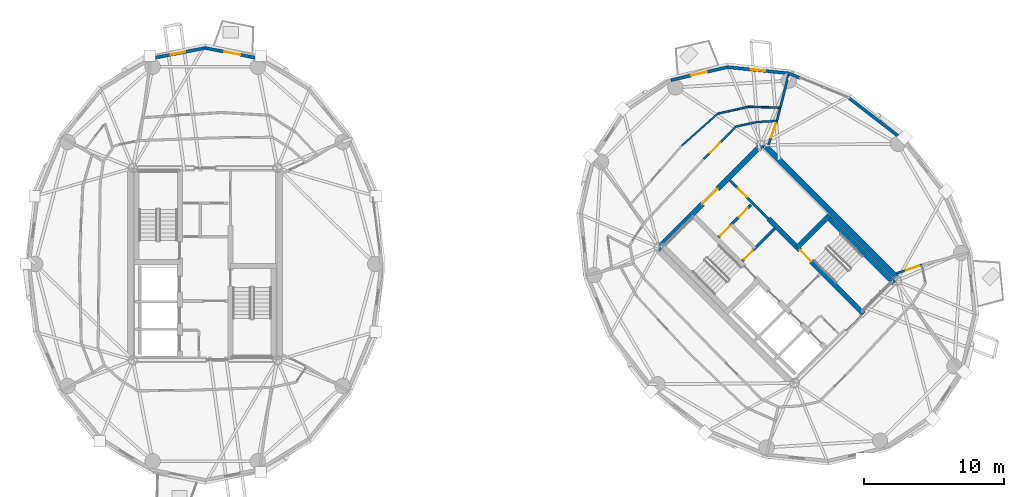
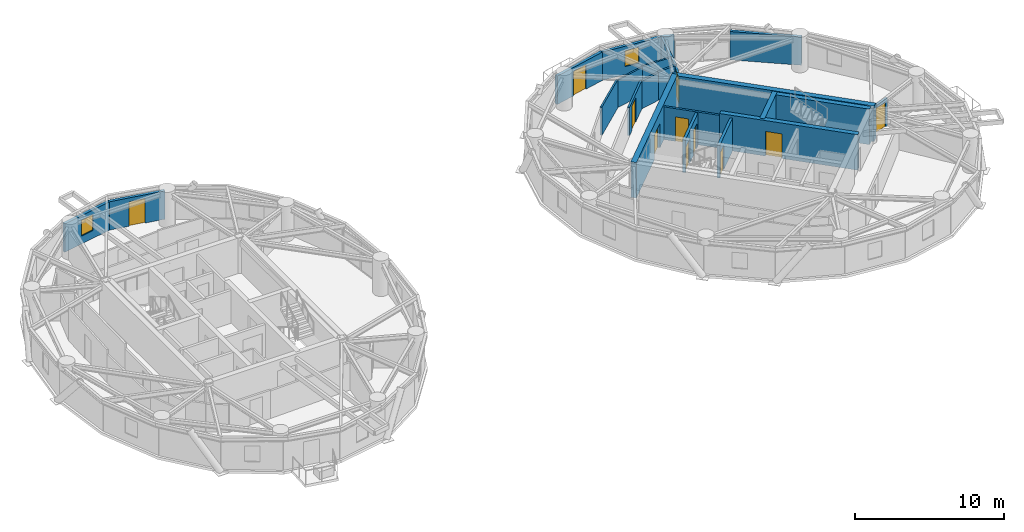
# One storey, part 12 of 16: 23 walls, 11 doors, 2 windows, 13 openings.
"""IFC4 building model written with IfcOpenShell, lengths in metres."""

from ifc_helpers import new_model, si_unit, direction, frame, frame_2d, origin, place, context, subcontext, project, spatial, rectangle, extrude, source, transform, mapped, material, layer, layer_set, type_object, element, fill, save


model = new_model("IFC4")

# Units and contexts
model_context = context("Model", 3, precision=1e-05, world=origin(), true_north=direction((0.0, 1.0)))
body_context = subcontext(model_context, "Body", "Model", "MODEL_VIEW")
ifc_project = project(units=[si_unit("LENGTHUNIT", "METRE"), si_unit("AREAUNIT", "SQUARE_METRE"), si_unit("VOLUMEUNIT", "CUBIC_METRE"), si_unit("PLANEANGLEUNIT", "RADIAN"), si_unit("MASSUNIT", "GRAM", prefix="KILO")], contexts=[model_context])

# Site, building, storey
site_placement = place(None, origin())
site = spatial("IfcSite", under=ifc_project, at=site_placement, CompositionType="ELEMENT")
building_placement = place(site_placement, origin())
building = spatial("IfcBuilding", under=site, at=building_placement, Name="Cununo Teusaquillo Station Towers", CompositionType="ELEMENT")
storey_placement = place(building_placement, frame((0.0, 0.0, 214.1201171875)))
storey = spatial("IfcBuildingStorey", under=building, at=storey_placement, Name="L68", CompositionType="ELEMENT", Elevation=214.1201171875)

# Wall, opening, door
ifc_material_1 = material(Name="Concrete C50/60", Category="concrete")
ifc_layer_1 = layer(ifc_material_1, 0.35009765625)
ifc_layer_set_1 = layer_set([ifc_layer_1], Name="Concrete C50/60")
wall_type_1 = type_object("IfcWallType", Name="WL-CORE-350", PredefinedType="SHEAR", material=ifc_layer_set_1)
wall_1_placement = place(storey_placement, frame((63.627197265625, 20.939697265625, 0.0), z_axis=(0.0, 0.0, 1.0), x_axis=(-0.707119496762, 0.707094065383, 0.0)))
wall_1 = element("IfcWall", 1, at=wall_1_placement, inside=storey, type_object=wall_type_1, Name="L68 Tower B Core Shear Wall IE", PredefinedType="SHEAR", context=body_context, shape_type="SweptSolid", body=[
    extrude(rectangle(XDim=9.60009765625, YDim=0.35009765625, at=frame_2d((4.800048828125, 0.0))), origin(), (0.0, 0.0, 1.0), 2.909912109375),
])
shared_shape_1 = source(origin(), body_context, "Body", "SweptSolid", [
    extrude(rectangle(XDim=1.14990234375, YDim=2.02001953125, at=frame_2d((0.574951171875, 1.010009765625))), frame((0.0, 0.18505859375, 0.0), z_axis=(0.0, -1.0, 0.0), x_axis=(1.0, 0.0, 0.0)), (0.0, 0.0, 1.0), 0.3701171875),
])
opening_1_placement = place(wall_1_placement, frame((5.280029296875, 0.0, 0.0)))
opening_1 = element("IfcOpeningElement", 2, at=opening_1_placement, cuts=wall_1, Name="Opening D-ST1", PredefinedType="OPENING", context=body_context, shape_type="MappedRepresentation", body=[
    mapped(shared_shape_1, transform((0.0, 0.0, 0.0), x_axis=(1.0, 0.0, 0.0), y_axis=(0.0, 1.0, 0.0), z_axis=(0.0, 0.0, 1.0), scale=1.0)),
])
ifc_material_2 = material(Name="Galvanised fire-rated hollow steel door assembly", Category="steel")
door_type_1 = type_object("IfcDoorType", Name="DR-STAIR-1150", OperationType="NOTDEFINED", PredefinedType="DOOR", material=ifc_material_2)
shared_shape_2 = source(origin(), body_context, "Body", "SweptSolid", [
    extrude(rectangle(XDim=1.14990234375, YDim=2.02001953125, at=frame_2d((0.574951171875, 1.010009765625))), frame((0.0, 0.02490234375, 0.0), z_axis=(0.0, -1.0, 0.0), x_axis=(1.0, 0.0, 0.0)), (0.0, 0.0, 1.0), 0.050048828125),
])
door_1_placement = place(opening_1_placement, origin())
door_1 = element("IfcDoor", 3, at=door_1_placement, inside=storey, type_object=door_type_1, Name="L68 Tower B Exit Stair 2 Fire Door", OperationType="SINGLE_SWING_RIGHT", OverallHeight=2.02001953125, OverallWidth=1.14990234375, PredefinedType="DOOR", context=body_context, shape_type="MappedRepresentation", body=[
    mapped(shared_shape_2, transform((0.0, 0.0, 0.0), x_axis=(1.0, 0.0, 0.0), y_axis=(0.0, 1.0, 0.0), z_axis=(0.0, 0.0, 1.0), scale=1.0)),
])
fill(opening_1, door_1)

# Walls
wall_2_placement = place(storey_placement, frame((65.81201171875, 23.124755859375, 0.0), z_axis=(0.0, 0.0, 1.0), x_axis=(-0.707106781187, 0.707106781187, 0.0)))
element("IfcWall", 4, at=wall_2_placement, inside=storey, type_object=wall_type_1, Name="L68 Tower B Core Shear Wall ST2E", PredefinedType="SHEAR", context=body_context, shape_type="SweptSolid", body=[
    extrude(rectangle(XDim=6.695068359375, YDim=0.35009765625, at=frame_2d((3.34765625, 0.0))), origin(), (0.0, 0.0, 1.0), 2.909912109375),
])
wall_3_placement = place(storey_placement, frame((58.89306640625, 25.673828125, 0.0), z_axis=(0.0, 0.0, 1.0), x_axis=(0.707106781187, 0.707106781187, 0.0)))
element("IfcWall", 5, at=wall_3_placement, inside=storey, type_object=wall_type_1, Name="L68 Tower B Core Shear Wall ST2N", PredefinedType="SHEAR", context=body_context, shape_type="SweptSolid", body=[
    extrude(rectangle(XDim=3.284912109375, YDim=0.35009765625, at=frame_2d((1.642578125, 0.0))), origin(), (0.0, 0.0, 1.0), 2.909912109375),
])
ifc_material_3 = material(Name="Concrete C50/60", Category="concrete")
ifc_layer_2 = layer(ifc_material_3, 0.39990234375)
ifc_layer_set_2 = layer_set([ifc_layer_2], Name="Concrete C50/60")
wall_type_2 = type_object("IfcWallType", Name="WL-CORE-400", PredefinedType="SHEAR", material=ifc_layer_set_2)
wall_4_placement = place(storey_placement, frame((66.26806640625, 23.2978515625, 0.0), z_axis=(0.0, 0.0, 1.0), x_axis=(-0.707106781187, 0.707106781187, 0.0)))
element("IfcWall", 6, at=wall_4_placement, inside=storey, type_object=wall_type_2, Name="L68 Tower B Core Shear Wall E", PredefinedType="SHEAR", context=body_context, shape_type="SweptSolid", body=[
    extrude(rectangle(XDim=14.10009765625, YDim=0.39990234375, at=frame_2d((7.050048828125, 0.0))), origin(), (0.0, 0.0, 1.0), 2.909912109375),
])

# Wall, opening, door
wall_5_placement = place(storey_placement, frame((48.873291015625, 25.560791015625, 0.0), z_axis=(0.0, 0.0, 1.0), x_axis=(0.707106781187, 0.707106781187, 0.0)))
wall_5 = element("IfcWall", 7, at=wall_5_placement, inside=storey, type_object=wall_type_2, Name="L68 Tower B Core Shear Wall N", PredefinedType="SHEAR", context=body_context, shape_type="SweptSolid", body=[
    extrude(rectangle(XDim=10.69970703125, YDim=0.39990234375, at=frame_2d((5.349853515625, 0.0))), origin(), (0.0, 0.0, 1.0), 2.909912109375),
])
shared_shape_3 = source(origin(), body_context, "Body", "SweptSolid", [
    extrude(rectangle(XDim=1.5, YDim=2.02001953125, at=frame_2d((0.75, 1.010009765625))), frame((0.0, 0.2099609375, 0.0), z_axis=(0.0, -1.0, 0.0), x_axis=(1.0, 0.0, 0.0)), (0.0, 0.0, 1.0), 0.419921875),
])
opening_2_placement = place(wall_5_placement, frame((4.60009765625, 0.0, 0.0)))
opening_2 = element("IfcOpeningElement", 8, at=opening_2_placement, cuts=wall_5, Name="Opening D-LB1", PredefinedType="OPENING", context=body_context, shape_type="MappedRepresentation", body=[
    mapped(shared_shape_3, transform((0.0, 0.0, 0.0), x_axis=(1.0, 0.0, 0.0), y_axis=(0.0, 1.0, 0.0), z_axis=(0.0, 0.0, 1.0), scale=1.0)),
])
ifc_material_4 = material(Name="Galvanised fire-rated hollow steel door assembly", Category="steel")
door_type_2 = type_object("IfcDoorType", Name="DR-LOBBY-1500", OperationType="DOUBLE_DOOR_SINGLE_SWING", PredefinedType="DOOR", material=ifc_material_4)
shared_shape_4 = source(origin(), body_context, "Body", "SweptSolid", [
    extrude(rectangle(XDim=1.5, YDim=2.02001953125, at=frame_2d((0.75, 1.010009765625))), frame((0.0, 0.02490234375, 0.0), z_axis=(0.0, -1.0, 0.0), x_axis=(1.0, 0.0, 0.0)), (0.0, 0.0, 1.0), 0.050048828125),
])
door_2_placement = place(opening_2_placement, origin())
door_2 = element("IfcDoor", 9, at=door_2_placement, inside=storey, type_object=door_type_2, Name="L68 Tower B North Core Lift Lobby Door", OperationType="DOUBLE_DOOR_SINGLE_SWING", OverallHeight=2.02001953125, OverallWidth=1.5, PredefinedType="DOOR", context=body_context, shape_type="MappedRepresentation", body=[
    mapped(shared_shape_4, transform((0.0, 0.0, 0.0), x_axis=(1.0, 0.0, 0.0), y_axis=(0.0, 1.0, 0.0), z_axis=(0.0, 0.0, 1.0), scale=1.0)),
])
fill(opening_2, door_2)

ifc_material_5 = material(Name="Precast concrete C40/50", Category="concrete")
ifc_layer_3 = layer(ifc_material_5, 0.219970703125)
ifc_layer_set_3 = layer_set([ifc_layer_3], Name="Precast concrete C40/50")
wall_type_3 = type_object("IfcWallType", Name="WL-EXT-220", PredefinedType="SOLIDWALL", material=ifc_layer_set_3)
wall_6_placement = place(storey_placement, frame((16.5, 39.969970703125, 0.0), z_axis=(0.0, 0.0, 1.0), x_axis=(0.981700307484, -0.190432419211, 0.0)))
wall_6 = element("IfcWall", 10, at=wall_6_placement, inside=storey, type_object=wall_type_3, Name="L68 Tower A Exterior Facade Wall C04", PredefinedType="SOLIDWALL", context=body_context, shape_type="SweptSolid", body=[
    extrude(rectangle(XDim=3.9755859375, YDim=0.219970703125, at=frame_2d((1.98779296875, 0.0))), origin(), (0.0, 0.0, 1.0), 2.32177734375),
])
shared_shape_5 = source(origin(), body_context, "Body", "SweptSolid", [
    extrude(rectangle(XDim=1.14990234375, YDim=2.0048828125, at=frame_2d((0.574951171875, 1.00244140625))), frame((0.0, 0.119873046875, 0.0), z_axis=(0.0, -1.0, 0.0), x_axis=(1.0, 0.0, 0.0)), (0.0, 0.0, 1.0), 0.239990234375),
])
opening_3_placement = place(wall_6_placement, frame((1.4130859375, 0.0, 0.0)))
opening_3 = element("IfcOpeningElement", 11, at=opening_3_placement, cuts=wall_6, Name="Opening ED-03", PredefinedType="OPENING", context=body_context, shape_type="MappedRepresentation", body=[
    mapped(shared_shape_5, transform((0.0, 0.0, 0.0), x_axis=(1.0, 0.0, 0.0), y_axis=(0.0, 1.0, 0.0), z_axis=(0.0, 0.0, 1.0), scale=1.0)),
])
ifc_material_6 = material(Name="Anodised dark bronze aluminium EN AW-6063-T6", Category="aluminium")
door_type_3 = type_object("IfcDoorType", Name="DR-EXT-BAL", OperationType="NOTDEFINED", PredefinedType="DOOR", material=ifc_material_6)
shared_shape_6 = source(origin(), body_context, "Body", "SweptSolid", [
    extrude(rectangle(XDim=1.14990234375, YDim=2.0048828125, at=frame_2d((0.574951171875, 1.00244140625))), frame((0.0, 0.02490234375, 0.0), z_axis=(0.0, -1.0, 0.0), x_axis=(1.0, 0.0, 0.0)), (0.0, 0.0, 1.0), 0.050048828125),
])
door_3_placement = place(opening_3_placement, origin())
door_3 = element("IfcDoor", 12, at=door_3_placement, inside=storey, type_object=door_type_3, Name="L68 Tower A Tree Balcony Door C04", OperationType="SINGLE_SWING_LEFT", OverallHeight=2.0048828125, OverallWidth=1.14990234375, PredefinedType="DOOR", context=body_context, shape_type="MappedRepresentation", body=[
    mapped(shared_shape_6, transform((0.0, 0.0, 0.0), x_axis=(1.0, 0.0, 0.0), y_axis=(0.0, 1.0, 0.0), z_axis=(0.0, 0.0, 1.0), scale=1.0)),
])
fill(opening_3, door_3)

# Wall, opening, window
wall_7_placement = place(storey_placement, frame((12.59716796875, 39.212890625, 0.0), z_axis=(0.0, 0.0, 1.0), x_axis=(0.981700307484, 0.190432419211, 0.0)))
wall_7 = element("IfcWall", 13, at=wall_7_placement, inside=storey, type_object=wall_type_3, Name="L68 Tower A Exterior Facade Wall C05", PredefinedType="SOLIDWALL", context=body_context, shape_type="SweptSolid", body=[
    extrude(rectangle(XDim=3.9755859375, YDim=0.219970703125, at=frame_2d((1.98779296875, 0.0))), origin(), (0.0, 0.0, 1.0), 2.32177734375),
])
shared_shape_7 = source(origin(), body_context, "Body", "SweptSolid", [
    extrude(rectangle(XDim=1.050048828125, YDim=1.300048828125, at=frame_2d((0.52490234375, 0.64990234375))), frame((0.0, 0.119873046875, 0.0), z_axis=(0.0, -1.0, 0.0), x_axis=(1.0, 0.0, 0.0)), (0.0, 0.0, 1.0), 0.239990234375),
])
opening_4_placement = place(wall_7_placement, frame((1.462890625, 0.0, 0.64990234375)))
opening_4 = element("IfcOpeningElement", 14, at=opening_4_placement, cuts=wall_7, Name="Opening WN-04", PredefinedType="OPENING", context=body_context, shape_type="MappedRepresentation", body=[
    mapped(shared_shape_7, transform((0.0, 0.0, 0.0), x_axis=(1.0, 0.0, 0.0), y_axis=(0.0, 1.0, 0.0), z_axis=(0.0, 0.0, 1.0), scale=1.0)),
])
ifc_material_7 = material(Name="Operable acoustic tinted low-E double glazing", Category="glass")
window_type = type_object("IfcWindowType", Name="WIN-BAL-1050", PartitioningType="SINGLE_PANEL", PredefinedType="WINDOW", material=ifc_material_7)
shared_shape_8 = source(origin(), body_context, "Body", "SweptSolid", [
    extrude(rectangle(XDim=1.050048828125, YDim=1.300048828125, at=frame_2d((0.52490234375, 0.64990234375))), frame((0.0, 0.030029296875, 0.0), z_axis=(0.0, -1.0, 0.0), x_axis=(1.0, 0.0, 0.0)), (0.0, 0.0, 1.0), 0.06005859375),
])
window_1_placement = place(opening_4_placement, origin())
window_1 = element("IfcWindow", 15, at=window_1_placement, inside=storey, type_object=window_type, Name="L68 Tower A Facade Window C05", OverallHeight=1.300048828125, OverallWidth=1.050048828125, PartitioningType="SINGLE_PANEL", PredefinedType="WINDOW", context=body_context, shape_type="MappedRepresentation", body=[
    mapped(shared_shape_8, transform((0.0, 0.0, 0.0), x_axis=(1.0, 0.0, 0.0), y_axis=(0.0, 1.0, 0.0), z_axis=(0.0, 0.0, 1.0), scale=1.0)),
])
fill(opening_4, window_1)

# Walls
wall_8_placement = place(storey_placement, frame((62.61328125, 36.373779296875, 0.0), z_axis=(0.0, 0.0, 1.0), x_axis=(0.791998462147, -0.610523083886, 0.0)))
element("IfcWall", 16, at=wall_8_placement, inside=storey, type_object=wall_type_3, Name="L68 Tower B Exterior Facade Wall C00", PredefinedType="SOLIDWALL", context=body_context, shape_type="SweptSolid", body=[
    extrude(rectangle(XDim=4.8203125, YDim=0.219970703125, at=frame_2d((2.41015625, 0.0))), origin(), (0.0, 0.0, 1.0), 2.32177734375),
])
wall_9_placement = place(storey_placement, frame((58.29541015625, 38.15478515625, 0.0), z_axis=(0.0, 0.0, 1.0), x_axis=(0.924515260676, -0.381145028536, 0.0)))
element("IfcWall", 17, at=wall_9_placement, inside=storey, type_object=wall_type_3, Name="L68 Tower B Column Pier Cladding Wall C01-PA", PredefinedType="SOLIDWALL", context=body_context, shape_type="SweptSolid", body=[
    extrude(rectangle(XDim=0.869873046875, YDim=0.219970703125, at=frame_2d((0.43505859375, 0.0))), origin(), (0.0, 0.0, 1.0), 2.32177734375),
])

# Wall, opening, window
wall_10_placement = place(storey_placement, frame((53.899658203125, 38.59912109375, 0.0), z_axis=(0.0, 0.0, 1.0), x_axis=(0.994929930991, -0.100570534541, 0.0)))
wall_10 = element("IfcWall", 18, at=wall_10_placement, inside=storey, type_object=wall_type_3, Name="L68 Tower B Exterior Facade Wall C02", PredefinedType="SOLIDWALL", context=body_context, shape_type="SweptSolid", body=[
    extrude(rectangle(XDim=4.418212890625, YDim=0.219970703125, at=frame_2d((2.208984375, 0.0))), origin(), (0.0, 0.0, 1.0), 2.32177734375),
])
opening_5_placement = place(wall_10_placement, frame((1.68408203125, 0.0, 0.64990234375)))
opening_5 = element("IfcOpeningElement", 19, at=opening_5_placement, cuts=wall_10, Name="Opening WN-04", PredefinedType="OPENING", context=body_context, shape_type="MappedRepresentation", body=[
    mapped(shared_shape_7, transform((0.0, 0.0, 0.0), x_axis=(1.0, 0.0, 0.0), y_axis=(0.0, 1.0, 0.0), z_axis=(0.0, 0.0, 1.0), scale=1.0)),
])
window_2_placement = place(opening_5_placement, origin())
window_2 = element("IfcWindow", 20, at=window_2_placement, inside=storey, type_object=window_type, Name="L68 Tower B Facade Window C02", OverallHeight=1.300048828125, OverallWidth=1.050048828125, PartitioningType="SINGLE_PANEL", PredefinedType="WINDOW", context=body_context, shape_type="MappedRepresentation", body=[
    mapped(shared_shape_8, transform((0.0, 0.0, 0.0), x_axis=(1.0, 0.0, 0.0), y_axis=(0.0, 1.0, 0.0), z_axis=(0.0, 0.0, 1.0), scale=1.0)),
])
fill(opening_5, window_2)

# Wall, opening, door
wall_11_placement = place(storey_placement, frame((49.856201171875, 37.663330078125, 0.0), z_axis=(0.0, 0.0, 1.0), x_axis=(0.974249228678, 0.225473813158, 0.0)))
wall_11 = element("IfcWall", 21, at=wall_11_placement, inside=storey, type_object=wall_type_3, Name="L68 Tower B Exterior Facade Wall C03", PredefinedType="SOLIDWALL", context=body_context, shape_type="SweptSolid", body=[
    extrude(rectangle(XDim=4.150390625, YDim=0.219970703125, at=frame_2d((2.0751953125, 0.0))), origin(), (0.0, 0.0, 1.0), 2.32177734375),
])
opening_6_placement = place(wall_11_placement, frame((1.5, 0.0, 0.0)))
opening_6 = element("IfcOpeningElement", 22, at=opening_6_placement, cuts=wall_11, Name="Opening ED-03", PredefinedType="OPENING", context=body_context, shape_type="MappedRepresentation", body=[
    mapped(shared_shape_5, transform((0.0, 0.0, 0.0), x_axis=(1.0, 0.0, 0.0), y_axis=(0.0, 1.0, 0.0), z_axis=(0.0, 0.0, 1.0), scale=1.0)),
])
door_4_placement = place(opening_6_placement, origin())
door_4 = element("IfcDoor", 23, at=door_4_placement, inside=storey, type_object=door_type_3, Name="L68 Tower B Tree Balcony Door C03", OperationType="SINGLE_SWING_LEFT", OverallHeight=2.0048828125, OverallWidth=1.14990234375, PredefinedType="DOOR", context=body_context, shape_type="MappedRepresentation", body=[
    mapped(shared_shape_6, transform((0.0, 0.0, 0.0), x_axis=(1.0, 0.0, 0.0), y_axis=(0.0, 1.0, 0.0), z_axis=(0.0, 0.0, 1.0), scale=1.0)),
])
fill(opening_6, door_4)

# Walls
ifc_material_8 = material(Name="Fire-rated gypsum plasterboard partition assembly", Category="gypsum")
ifc_layer_4 = layer(ifc_material_8, 0.125)
ifc_layer_set_4 = layer_set([ifc_layer_4], Name="Fire-rated gypsum plasterboard partition assembly")
wall_type_4 = type_object("IfcWallType", Name="WL-PART-125", PredefinedType="PARTITIONING", material=ifc_layer_set_4)
wall_12_placement = place(storey_placement, frame((57.678955078125, 35.693359375, 0.0), z_axis=(0.0, 0.0, 1.0), x_axis=(-0.999526298938, 0.030776252722, 0.0)))
element("IfcWall", 24, at=wall_12_placement, inside=storey, type_object=wall_type_4, Name="L68 Tower B Summit Champagne & Dining Salon Concentric Partition Wall C02", PredefinedType="PARTITIONING", context=body_context, shape_type="SweptSolid", body=[
    extrude(rectangle(XDim=2.2607421875, YDim=0.125, at=frame_2d((1.13037109375, 0.0))), origin(), (0.0, 0.0, 1.0), 2.32177734375),
])
wall_13_placement = place(storey_placement, frame((55.419189453125, 35.762939453125, 0.0), z_axis=(0.0, 0.0, 1.0), x_axis=(-0.975917771425, -0.218138725166, 0.0)))
element("IfcWall", 25, at=wall_13_placement, inside=storey, type_object=wall_type_4, Name="L68 Tower B Summit Champagne & Dining Salon Concentric Partition Wall C03", PredefinedType="PARTITIONING", context=body_context, shape_type="SweptSolid", body=[
    extrude(rectangle(XDim=2.267578125, YDim=0.125, at=frame_2d((1.1337890625, 0.0))), origin(), (0.0, 0.0, 1.0), 2.2548828125),
])
wall_14_placement = place(storey_placement, frame((53.206298828125, 35.268310546875, 0.0), z_axis=(0.0, 0.0, 1.0), x_axis=(-0.746677760999, -0.665185929819, 0.0)))
element("IfcWall", 26, at=wall_14_placement, inside=storey, type_object=wall_type_4, Name="L68 Tower B Summit Champagne & Dining Salon Concentric Partition Wall C04", PredefinedType="PARTITIONING", context=body_context, shape_type="SweptSolid", body=[
    extrude(rectangle(XDim=3.4453125, YDim=0.125, at=frame_2d((1.72265625, 0.0))), origin(), (0.0, 0.0, 1.0), 2.32177734375),
])
ifc_material_9 = material(Name="Fire-rated gypsum plasterboard partition assembly", Category="gypsum")
ifc_layer_5 = layer(ifc_material_9, 0.14990234375)
ifc_layer_set_5 = layer_set([ifc_layer_5], Name="Fire-rated gypsum plasterboard partition assembly")
wall_type_5 = type_object("IfcWallType", Name="WL-PART-150", PredefinedType="PARTITIONING", material=ifc_layer_set_5)
wall_15_placement = place(storey_placement, frame((57.4404296875, 34.743896484375, 0.0), z_axis=(0.0, 0.0, 1.0), x_axis=(-0.998578025565, -0.053309725738, 0.0)))
element("IfcWall", 27, at=wall_15_placement, inside=storey, type_object=wall_type_5, Name="L68 Tower B Corridor Ring Wall C02", PredefinedType="PARTITIONING", context=body_context, shape_type="SweptSolid", body=[
    extrude(rectangle(XDim=1.433349609375, YDim=0.14990234375, at=frame_2d((0.716796875, 0.0))), origin(), (0.0, 0.0, 1.0), 2.32177734375),
])
wall_16_placement = place(storey_placement, frame((56.009033203125, 34.66748046875, 0.0), z_axis=(0.0, 0.0, 1.0), x_axis=(-0.977625498152, -0.210353001795, 0.0)))
element("IfcWall", 28, at=wall_16_placement, inside=storey, type_object=wall_type_5, Name="L68 Tower B Corridor Ring Wall C03", PredefinedType="PARTITIONING", context=body_context, shape_type="SweptSolid", body=[
    extrude(rectangle(XDim=1.537841796875, YDim=0.14990234375, at=frame_2d((0.76904296875, 0.0))), origin(), (0.0, 0.0, 1.0), 2.2548828125),
])

# Wall, opening, door
wall_17_placement = place(storey_placement, frame((54.505615234375, 34.343994140625, 0.0), z_axis=(0.0, 0.0, 1.0), x_axis=(-0.703053402247, -0.711137056824, 0.0)))
wall_17 = element("IfcWall", 29, at=wall_17_placement, inside=storey, type_object=wall_type_5, Name="L68 Tower B Corridor Ring Wall C04", PredefinedType="PARTITIONING", context=body_context, shape_type="SweptSolid", body=[
    extrude(rectangle(XDim=3.26171875, YDim=0.14990234375, at=frame_2d((1.630859375, 0.0))), origin(), (0.0, 0.0, 1.0), 2.32177734375),
])
shared_shape_9 = source(origin(), body_context, "Body", "SweptSolid", [
    extrude(rectangle(XDim=1.050048828125, YDim=2.014892578125, at=frame_2d((0.52490234375, 1.00732421875))), frame((0.0, 0.0849609375, 0.0), z_axis=(0.0, -1.0, 0.0), x_axis=(1.0, 0.0, 0.0)), (0.0, 0.0, 1.0), 0.169921875),
])
opening_7_placement = place(wall_17_placement, frame((1.598876953125, 0.0, 0.0)))
opening_7 = element("IfcOpeningElement", 30, at=opening_7_placement, cuts=wall_17, Name="Opening D-SU1", PredefinedType="OPENING", context=body_context, shape_type="MappedRepresentation", body=[
    mapped(shared_shape_9, transform((0.0, 0.0, 0.0), x_axis=(1.0, 0.0, 0.0), y_axis=(0.0, 1.0, 0.0), z_axis=(0.0, 0.0, 1.0), scale=1.0)),
])
ifc_material_10 = material(Name="Acoustic solid-core hardwood leaf assembly", Category="wood")
door_type_4 = type_object("IfcDoorType", Name="DR-SUITE-1050", OperationType="NOTDEFINED", PredefinedType="DOOR", material=ifc_material_10)
shared_shape_10 = source(origin(), body_context, "Body", "SweptSolid", [
    extrude(rectangle(XDim=1.050048828125, YDim=2.014892578125, at=frame_2d((0.52490234375, 1.00732421875))), frame((0.0, 0.02490234375, 0.0), z_axis=(0.0, -1.0, 0.0), x_axis=(1.0, 0.0, 0.0)), (0.0, 0.0, 1.0), 0.050048828125),
])
door_5_placement = place(opening_7_placement, origin())
door_5 = element("IfcDoor", 31, at=door_5_placement, inside=storey, type_object=door_type_4, Name="L68 Tower B Summit Champagne & Dining Salon Entrance Door", OperationType="SINGLE_SWING_RIGHT", OverallHeight=2.014892578125, OverallWidth=1.050048828125, PredefinedType="DOOR", context=body_context, shape_type="MappedRepresentation", body=[
    mapped(shared_shape_10, transform((0.0, 0.0, 0.0), x_axis=(1.0, 0.0, 0.0), y_axis=(0.0, 1.0, 0.0), z_axis=(0.0, 0.0, 1.0), scale=1.0)),
])
fill(opening_7, door_5)

ifc_material_11 = material(Name="Fire-rated gypsum plasterboard partition assembly", Category="gypsum")
ifc_layer_6 = layer(ifc_material_11, 0.159912109375)
ifc_layer_set_6 = layer_set([ifc_layer_6], Name="Fire-rated gypsum plasterboard partition assembly")
wall_type_6 = type_object("IfcWallType", Name="WL-PART-160", PredefinedType="PARTITIONING", material=ifc_layer_set_6)
wall_18_placement = place(storey_placement, frame((56.8388671875, 27.727783203125, 0.0), z_axis=(0.0, 0.0, 1.0), x_axis=(-0.707106781187, 0.707106781187, 0.0)))
wall_18 = element("IfcWall", 32, at=wall_18_placement, inside=storey, type_object=wall_type_6, Name="L68 Tower B Reclaimed Core Bay Entry Wall", PredefinedType="PARTITIONING", context=body_context, shape_type="SweptSolid", body=[
    extrude(rectangle(XDim=3.900146484375, YDim=0.159912109375, at=frame_2d((1.9501953125, 0.0))), origin(), (0.0, 0.0, 1.0), 2.684814453125),
])
shared_shape_11 = source(origin(), body_context, "Body", "SweptSolid", [
    extrude(rectangle(XDim=0.89990234375, YDim=2.0048828125, at=frame_2d((0.449951171875, 1.00244140625))), frame((0.0, 0.08984375, 0.0), z_axis=(0.0, -1.0, 0.0), x_axis=(1.0, 0.0, 0.0)), (0.0, 0.0, 1.0), 0.179931640625),
])
opening_8_placement = place(wall_18_placement, frame((2.199951171875, 0.0, 0.0)))
opening_8 = element("IfcOpeningElement", 33, at=opening_8_placement, cuts=wall_18, Name="Opening D-IN1", PredefinedType="OPENING", context=body_context, shape_type="MappedRepresentation", body=[
    mapped(shared_shape_11, transform((0.0, 0.0, 0.0), x_axis=(1.0, 0.0, 0.0), y_axis=(0.0, 1.0, 0.0), z_axis=(0.0, 0.0, 1.0), scale=1.0)),
])
ifc_material_12 = material(Name="Acoustic solid-core hardwood leaf assembly", Category="wood")
door_type_5 = type_object("IfcDoorType", Name="DR-INT-900", OperationType="NOTDEFINED", PredefinedType="DOOR", material=ifc_material_12)
shared_shape_12 = source(origin(), body_context, "Body", "SweptSolid", [
    extrude(rectangle(XDim=0.89990234375, YDim=2.0048828125, at=frame_2d((0.449951171875, 1.00244140625))), frame((0.0, 0.02490234375, 0.0), z_axis=(0.0, -1.0, 0.0), x_axis=(1.0, 0.0, 0.0)), (0.0, 0.0, 1.0), 0.050048828125),
])
door_6_placement = place(opening_8_placement, origin())
door_6 = element("IfcDoor", 34, at=door_6_placement, inside=storey, type_object=door_type_5, Name="L68 Tower B Reclaimed Core Lounge Door", OperationType="SINGLE_SWING_LEFT", OverallHeight=2.0048828125, OverallWidth=0.89990234375, PredefinedType="DOOR", context=body_context, shape_type="MappedRepresentation", body=[
    mapped(shared_shape_12, transform((0.0, 0.0, 0.0), x_axis=(1.0, 0.0, 0.0), y_axis=(0.0, 1.0, 0.0), z_axis=(0.0, 0.0, 1.0), scale=1.0)),
])
fill(opening_8, door_6)

# Wall
wall_19_placement = place(storey_placement, frame((57.4404296875, 34.743896484375, 0.0), z_axis=(0.0, 0.0, 1.0), x_axis=(0.243619816457, 0.969870808422, 0.0)))
element("IfcWall", 35, at=wall_19_placement, inside=storey, type_object=wall_type_6, Name="L68 Tower B Radial Suite Partition R01", PredefinedType="PARTITIONING", context=body_context, shape_type="SweptSolid", body=[
    extrude(rectangle(XDim=3.496337890625, YDim=0.159912109375, at=frame_2d((1.748046875, 0.0))), origin(), (0.0, 0.0, 1.0), 2.32177734375),
])

# Wall, opening, door
wall_20_placement = place(storey_placement, frame((56.828125, 33.0205078125, 0.0), z_axis=(0.0, 0.0, 1.0), x_axis=(0.334788446034, 0.942293317605, 0.0)))
wall_20 = element("IfcWall", 36, at=wall_20_placement, inside=storey, type_object=wall_type_6, Name="L68 Tower B East Salon Corridor Portal Wall NE", PredefinedType="PARTITIONING", context=body_context, shape_type="SweptSolid", body=[
    extrude(rectangle(XDim=1.828857421875, YDim=0.159912109375, at=frame_2d((0.91455078125, 0.0))), origin(), (0.0, 0.0, 1.0), 2.2548828125),
])
shared_shape_13 = source(origin(), body_context, "Body", "SweptSolid", [
    extrude(rectangle(XDim=1.050048828125, YDim=2.014892578125, at=frame_2d((0.52490234375, 1.00732421875))), frame((0.0, 0.08984375, 0.0), z_axis=(0.0, -1.0, 0.0), x_axis=(1.0, 0.0, 0.0)), (0.0, 0.0, 1.0), 0.179931640625),
])
opening_9_placement = place(wall_20_placement, frame((0.578857421875, 0.0, 0.0)))
opening_9 = element("IfcOpeningElement", 37, at=opening_9_placement, cuts=wall_20, Name="Opening D-SU1", PredefinedType="OPENING", context=body_context, shape_type="MappedRepresentation", body=[
    mapped(shared_shape_13, transform((0.0, 0.0, 0.0), x_axis=(1.0, 0.0, 0.0), y_axis=(0.0, 1.0, 0.0), z_axis=(0.0, 0.0, 1.0), scale=1.0)),
])
door_7_placement = place(opening_9_placement, origin())
door_7 = element("IfcDoor", 38, at=door_7_placement, inside=storey, type_object=door_type_4, Name="L68 Tower B East Panorama Sky Salon Door NE", OperationType="SINGLE_SWING_RIGHT", OverallHeight=2.014892578125, OverallWidth=1.050048828125, PredefinedType="DOOR", context=body_context, shape_type="MappedRepresentation", body=[
    mapped(shared_shape_10, transform((0.0, 0.0, 0.0), x_axis=(1.0, 0.0, 0.0), y_axis=(0.0, 1.0, 0.0), z_axis=(0.0, 0.0, 1.0), scale=1.0)),
])
fill(opening_9, door_7)

wall_21_placement = place(storey_placement, frame((66.0205078125, 23.828125, 0.0), z_axis=(0.0, 0.0, 1.0), x_axis=(0.947522075691, 0.319690344049, 0.0)))
wall_21 = element("IfcWall", 39, at=wall_21_placement, inside=storey, type_object=wall_type_6, Name="L68 Tower B East Salon Corridor Portal Wall SE", PredefinedType="PARTITIONING", context=body_context, shape_type="SweptSolid", body=[
    extrude(rectangle(XDim=1.923583984375, YDim=0.159912109375, at=frame_2d((0.9619140625, 0.0))), origin(), (0.0, 0.0, 1.0), 2.2548828125),
])
opening_10_placement = place(wall_21_placement, frame((0.673583984375, 0.0, 0.0)))
opening_10 = element("IfcOpeningElement", 40, at=opening_10_placement, cuts=wall_21, Name="Opening D-SU1", PredefinedType="OPENING", context=body_context, shape_type="MappedRepresentation", body=[
    mapped(shared_shape_13, transform((0.0, 0.0, 0.0), x_axis=(1.0, 0.0, 0.0), y_axis=(0.0, 1.0, 0.0), z_axis=(0.0, 0.0, 1.0), scale=1.0)),
])
door_8_placement = place(opening_10_placement, origin())
door_8 = element("IfcDoor", 41, at=door_8_placement, inside=storey, type_object=door_type_4, Name="L68 Tower B East Panorama Sky Salon Door SE", OperationType="SINGLE_SWING_LEFT", OverallHeight=2.014892578125, OverallWidth=1.050048828125, PredefinedType="DOOR", context=body_context, shape_type="MappedRepresentation", body=[
    mapped(shared_shape_10, transform((0.0, 0.0, 0.0), x_axis=(1.0, 0.0, 0.0), y_axis=(0.0, 1.0, 0.0), z_axis=(0.0, 0.0, 1.0), scale=1.0)),
])
fill(opening_10, door_8)

ifc_material_13 = material(Name="Fire-rated gypsum plasterboard partition assembly", Category="gypsum")
ifc_layer_7 = layer(ifc_material_13, 0.199951171875)
ifc_layer_set_7 = layer_set([ifc_layer_7], Name="Fire-rated gypsum plasterboard partition assembly")
wall_type_7 = type_object("IfcWallType", Name="WL-PART-200", PredefinedType="PARTITIONING", material=ifc_layer_set_7)
wall_22_placement = place(storey_placement, frame((54.96142578125, 24.71923828125, 0.0), z_axis=(0.0, 0.0, 1.0), x_axis=(0.707106781187, 0.707106781187, 0.0)))
wall_22 = element("IfcWall", 42, at=wall_22_placement, inside=storey, type_object=wall_type_7, Name="L68 Tower B Firefighting Lift Lobby North Fire Wall", PredefinedType="PARTITIONING", context=body_context, shape_type="SweptSolid", body=[
    extrude(rectangle(XDim=3.280029296875, YDim=0.199951171875, at=frame_2d((1.64013671875, 0.0))), origin(), (0.0, 0.0, 1.0), 2.684814453125),
])
shared_shape_14 = source(origin(), body_context, "Body", "SweptSolid", [
    extrude(rectangle(XDim=0.89990234375, YDim=2.0048828125, at=frame_2d((0.449951171875, 1.00244140625))), frame((0.0, 0.10986328125, 0.0), z_axis=(0.0, -1.0, 0.0), x_axis=(1.0, 0.0, 0.0)), (0.0, 0.0, 1.0), 0.219970703125),
])
opening_11_placement = place(wall_22_placement, frame((0.159912109375, 0.0, 0.0)))
opening_11 = element("IfcOpeningElement", 43, at=opening_11_placement, cuts=wall_22, Name="Opening D-SR1", PredefinedType="OPENING", context=body_context, shape_type="MappedRepresentation", body=[
    mapped(shared_shape_14, transform((0.0, 0.0, 0.0), x_axis=(1.0, 0.0, 0.0), y_axis=(0.0, 1.0, 0.0), z_axis=(0.0, 0.0, 1.0), scale=1.0)),
])
ifc_material_14 = material(Name="Galvanised fire-rated hollow steel door assembly", Category="steel")
door_type_6 = type_object("IfcDoorType", Name="DR-STORE-900", OperationType="NOTDEFINED", PredefinedType="DOOR", material=ifc_material_14)
door_9_placement = place(opening_11_placement, origin())
door_9 = element("IfcDoor", 44, at=door_9_placement, inside=storey, type_object=door_type_6, Name="L68 Tower B Stair 1 Protected Vestibule South Door", OperationType="SINGLE_SWING_LEFT", OverallHeight=2.0048828125, OverallWidth=0.89990234375, PredefinedType="DOOR", context=body_context, shape_type="MappedRepresentation", body=[
    mapped(shared_shape_12, transform((0.0, 0.0, 0.0), x_axis=(1.0, 0.0, 0.0), y_axis=(0.0, 1.0, 0.0), z_axis=(0.0, 0.0, 1.0), scale=1.0)),
])
fill(opening_11, door_9)

# Wall, openings, doors
wall_23_placement = place(storey_placement, frame((53.264404296875, 26.416259765625, 0.0), z_axis=(0.0, 0.0, 1.0), x_axis=(0.707106781187, 0.707106781187, 0.0)))
wall_23 = element("IfcWall", 45, at=wall_23_placement, inside=storey, type_object=wall_type_7, Name="L68 Tower B North Lift Lobby South Fire Wall", PredefinedType="PARTITIONING", context=body_context, shape_type="SweptSolid", body=[
    extrude(rectangle(XDim=3.280029296875, YDim=0.199951171875, at=frame_2d((1.64013671875, 0.0))), origin(), (0.0, 0.0, 1.0), 2.684814453125),
])
shared_shape_15 = source(origin(), body_context, "Body", "SweptSolid", [
    extrude(rectangle(XDim=1.0, YDim=2.014892578125, at=frame_2d((0.5, 1.00732421875))), frame((0.0, 0.10986328125, 0.0), z_axis=(0.0, -1.0, 0.0), x_axis=(1.0, 0.0, 0.0)), (0.0, 0.0, 1.0), 0.219970703125),
])
opening_12_placement = place(wall_23_placement, frame((0.139892578125, 0.0, 0.0)))
opening_12 = element("IfcOpeningElement", 46, at=opening_12_placement, cuts=wall_23, Name="Opening D-AC1", PredefinedType="OPENING", context=body_context, shape_type="MappedRepresentation", body=[
    mapped(shared_shape_15, transform((0.0, 0.0, 0.0), x_axis=(1.0, 0.0, 0.0), y_axis=(0.0, 1.0, 0.0), z_axis=(0.0, 0.0, 1.0), scale=1.0)),
])
opening_13_placement = place(wall_23_placement, frame((2.050048828125, 0.0, 0.0)))
opening_13 = element("IfcOpeningElement", 47, at=opening_13_placement, cuts=wall_23, Name="Opening D-SR1", PredefinedType="OPENING", context=body_context, shape_type="MappedRepresentation", body=[
    mapped(shared_shape_14, transform((0.0, 0.0, 0.0), x_axis=(1.0, 0.0, 0.0), y_axis=(0.0, 1.0, 0.0), z_axis=(0.0, 0.0, 1.0), scale=1.0)),
])
door_10_placement = place(opening_13_placement, origin())
door_10 = element("IfcDoor", 48, at=door_10_placement, inside=storey, type_object=door_type_6, Name="L68 Tower B Core Housekeeping & Linen Store Door", OperationType="SINGLE_SWING_RIGHT", OverallHeight=2.0048828125, OverallWidth=0.89990234375, PredefinedType="DOOR", context=body_context, shape_type="MappedRepresentation", body=[
    mapped(shared_shape_12, transform((0.0, 0.0, 0.0), x_axis=(1.0, 0.0, 0.0), y_axis=(0.0, 1.0, 0.0), z_axis=(0.0, 0.0, 1.0), scale=1.0)),
])
fill(opening_13, door_10)
ifc_material_15 = material(Name="Acoustic solid-core hardwood leaf assembly", Category="wood")
door_type_7 = type_object("IfcDoorType", Name="DR-ACC-1000", OperationType="NOTDEFINED", PredefinedType="DOOR", material=ifc_material_15)
shared_shape_16 = source(origin(), body_context, "Body", "SweptSolid", [
    extrude(rectangle(XDim=1.0, YDim=2.014892578125, at=frame_2d((0.5, 1.00732421875))), frame((0.0, 0.02490234375, 0.0), z_axis=(0.0, -1.0, 0.0), x_axis=(1.0, 0.0, 0.0)), (0.0, 0.0, 1.0), 0.050048828125),
])
door_11_placement = place(opening_12_placement, origin())
door_11 = element("IfcDoor", 49, at=door_11_placement, inside=storey, type_object=door_type_7, Name="L68 Tower B North Lift Lobby to Stair 1 Vestibule Door", OperationType="SINGLE_SWING_RIGHT", OverallHeight=2.014892578125, OverallWidth=1.0, PredefinedType="DOOR", context=body_context, shape_type="MappedRepresentation", body=[
    mapped(shared_shape_16, transform((0.0, 0.0, 0.0), x_axis=(1.0, 0.0, 0.0), y_axis=(0.0, 1.0, 0.0), z_axis=(0.0, 0.0, 1.0), scale=1.0)),
])
fill(opening_12, door_11)

save(model, "model.ifc")
